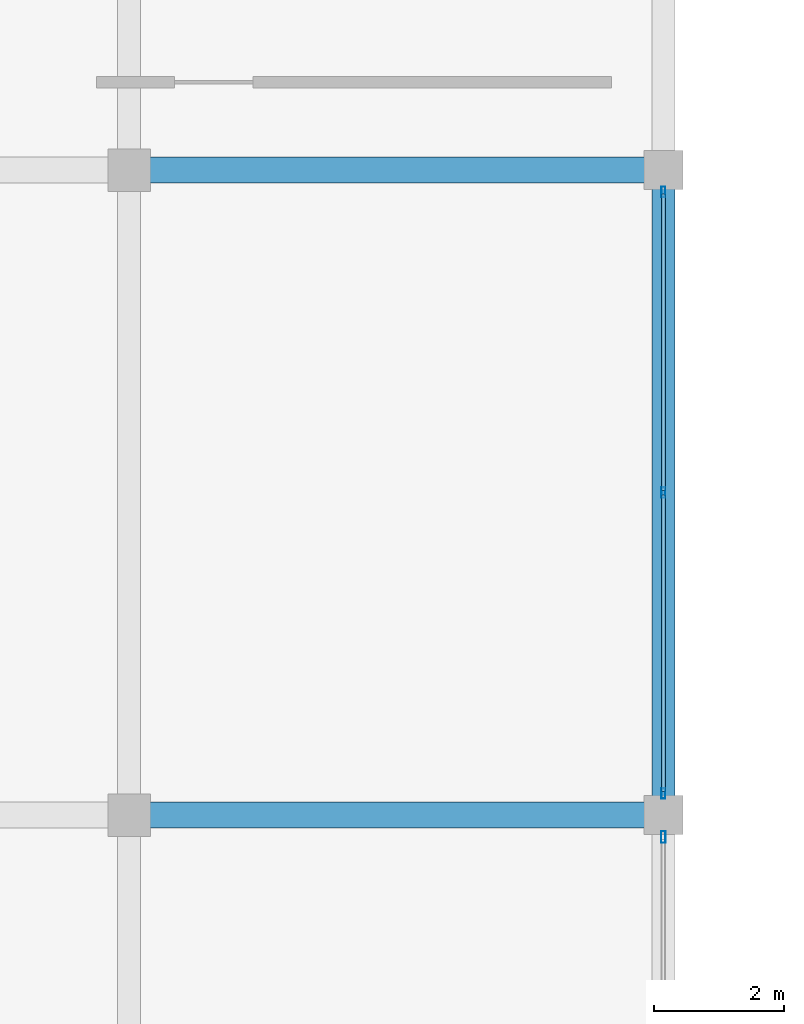
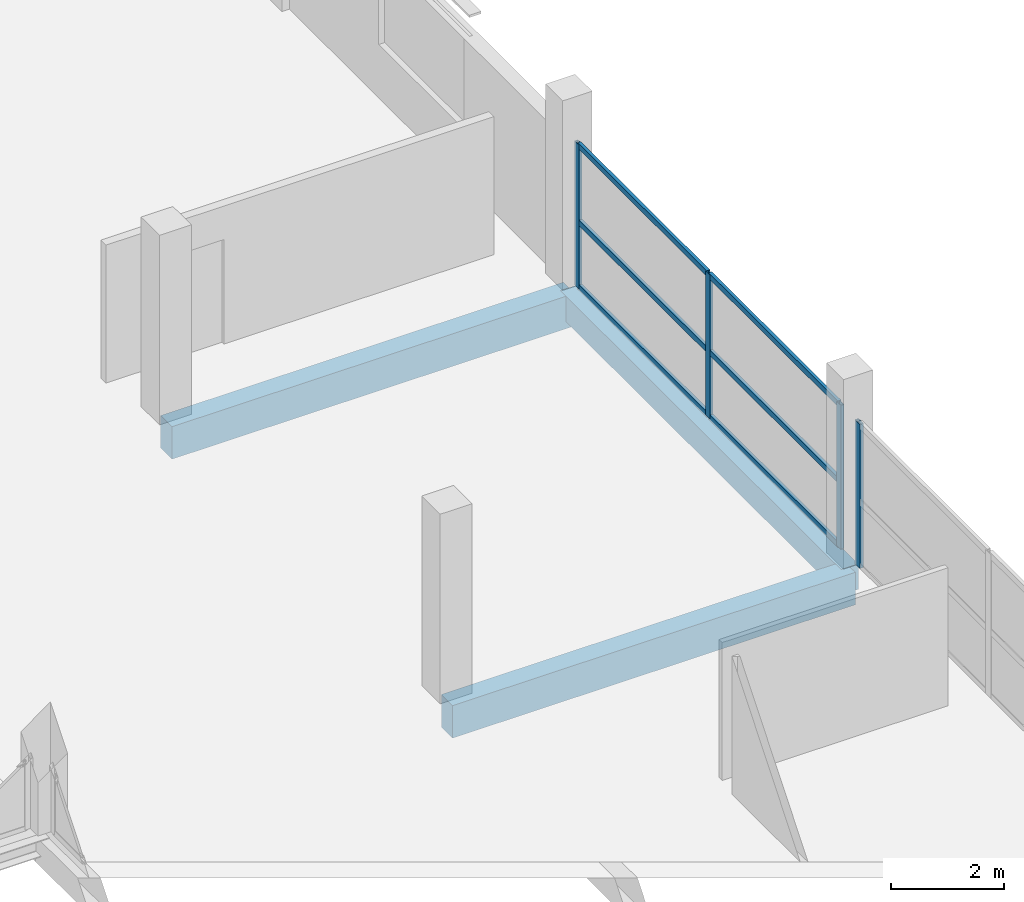
# One storey, part 42 of 66: 10 members, 3 beams, 2 elements without a shape of their own.
"""IFC4 building model written with IfcOpenShell, lengths in metres."""

import ifcopenshell
import ifcopenshell.guid

model = None  # the IFC model being written
_history = None  # IfcOwnerHistory: only IFC2X3 demands one
_inside = {}  # id of a spatial element -> (the spatial element, [elements in it])
_under = {}  # id of a project, library or spatial element -> (it, [spatial elements below it])
_declared = {}  # id of a project -> (the project, [libraries it declares])
_typed = {}  # id of a type object -> (the type object, [elements of that type])
_made_of = {}  # id of a material, layer set ... -> (it, [elements and type objects made of it])


def new_model(schema):
    """Start an empty IFC model of exactly this schema.

    Asked for "IFC4X3", IfcOpenShell would pick the latest addendum, in which some entities
    have other attributes; the version numbers below select the first issue.
    IFC2X3 requires an IfcOwnerHistory on every rooted entity: one is made here for all.
    """
    global model, _history
    if schema == "IFC4X3":
        model = ifcopenshell.file(schema_version=(4, 3, 0, 0))
    else:
        model = ifcopenshell.file(schema=schema)
    _inside.clear()
    _under.clear()
    _declared.clear()
    _typed.clear()
    _made_of.clear()
    _history = None
    if model.schema == "IFC2X3":
        org = make("IfcOrganization", Name="unknown")
        user = make(
            "IfcPersonAndOrganization",
            ThePerson=make("IfcPerson", FamilyName="unknown"),
            TheOrganization=org,
        )
        app = make(
            "IfcApplication",
            ApplicationDeveloper=org,
            Version="unknown",
            ApplicationFullName="unknown",
            ApplicationIdentifier="unknown",
        )
        _history = make(
            "IfcOwnerHistory",
            OwningUser=user,
            OwningApplication=app,
            ChangeAction="ADDED",
            CreationDate=0,
        )
    return model


def make(cls, **values):
    """One entity of the class cls with the attributes given. An attribute that is None is left unset."""
    return model.create_entity(
        cls, **{name: value for name, value in values.items() if value is not None}
    )


def rooted(cls, **values):
    """An entity with a GlobalId (a new one), such as an element, a storey or a relation."""
    return make(cls, GlobalId=ifcopenshell.guid.new(), OwnerHistory=_history, **values)


def si_unit(unit_type, name, prefix=None):
    """IfcSIUnit, for example si_unit("LENGTHUNIT", "METRE", prefix="MILLI")."""
    return make("IfcSIUnit", UnitType=unit_type, Prefix=prefix, Name=name)


def assignment(units):
    """IfcUnitAssignment: the units of a project."""
    return None if units is None else make("IfcUnitAssignment", Units=units)


def point(xyz):
    """IfcCartesianPoint."""
    return None if xyz is None else make("IfcCartesianPoint", Coordinates=xyz)


def direction(xyz):
    """IfcDirection."""
    return None if xyz is None else make("IfcDirection", DirectionRatios=xyz)


def frame(location, z_axis=None, x_axis=None):
    """IfcAxis2Placement3D, a coordinate frame: its origin and axes. An axis left out is left unset."""
    return make(
        "IfcAxis2Placement3D",
        Location=point(location),
        Axis=direction(z_axis),
        RefDirection=direction(x_axis),
    )


def frame_2d(location, x_axis=None):
    """IfcAxis2Placement2D, a coordinate frame in the plane: its origin and x axis."""
    return make(
        "IfcAxis2Placement2D", Location=point(location), RefDirection=direction(x_axis)
    )


def origin():
    """The frame at (0, 0, 0) with its axes left unset."""
    return frame((0.0, 0.0, 0.0))


def origin_2d():
    """The frame at (0, 0) in the plane with its x axis left unset."""
    return frame_2d((0.0, 0.0))


def place(relative_to, where):
    """IfcLocalPlacement: puts the frame where relative to a parent placement (None: the world)."""
    return make(
        "IfcLocalPlacement", PlacementRelTo=relative_to, RelativePlacement=where
    )


def context(
    kind, dimensions, precision=None, world=None, true_north=None, identifier=None
):
    """IfcGeometricRepresentationContext, for example the 3D "Model" context."""
    return make(
        "IfcGeometricRepresentationContext",
        ContextIdentifier=identifier,
        ContextType=kind,
        CoordinateSpaceDimension=dimensions,
        Precision=precision,
        WorldCoordinateSystem=world,
        TrueNorth=true_north,
    )


def subcontext(parent, identifier, kind, view, scale=None):
    """IfcGeometricRepresentationSubContext, for example "Body" below "Model"."""
    return make(
        "IfcGeometricRepresentationSubContext",
        ContextIdentifier=identifier,
        ContextType=kind,
        ParentContext=parent,
        TargetScale=scale,
        TargetView=view,
    )


def project(units=None, contexts=None):
    """IfcProject with its units and contexts."""
    return rooted(
        "IfcProject",
        Name="project",
        RepresentationContexts=contexts,
        UnitsInContext=assignment(units),
    )


def spatial(cls, under=None, at=None, **own):
    """A site, building, storey or space (cls), placed at a placement, below another one or the project."""
    s = rooted(cls, ObjectPlacement=at, **own)
    if under is not None:
        _under.setdefault(under.id(), (under, []))[1].append(s)
    return s


def profile(cls, at=None, kind="AREA", **sizes):
    """A parametric profile (cls). Its sizes go by their IFC names, for example OverallWidth=200.0."""
    return make(cls, ProfileType=kind, Position=at, **sizes)


def rectangle(**sizes):
    """IfcRectangleProfileDef."""
    return profile("IfcRectangleProfileDef", **sizes)


def hollow_rectangle(**sizes):
    """IfcRectangleHollowProfileDef."""
    return profile("IfcRectangleHollowProfileDef", **sizes)


def extrude(swept, where, along, depth):
    """IfcExtrudedAreaSolid: the profile swept, set in the frame where, extruded along a direction by depth."""
    return make(
        "IfcExtrudedAreaSolid",
        SweptArea=swept,
        Position=where,
        ExtrudedDirection=direction(along),
        Depth=depth,
    )


def shape(context_of_items, identifier, shape_type, items):
    """IfcShapeRepresentation: the items that make up one representation, for example the "Body"."""
    return make(
        "IfcShapeRepresentation",
        ContextOfItems=context_of_items,
        RepresentationIdentifier=identifier,
        RepresentationType=shape_type,
        Items=items,
    )


def material(Name=None, Category=None):
    """IfcMaterial."""
    return make("IfcMaterial", Name=Name, Category=Category)


def layer(
    of_material, thickness, ventilated=None, Name=None, Category=None, Priority=None
):
    """IfcMaterialLayer: one layer of a wall or slab, of a material (None: an air gap)."""
    return make(
        "IfcMaterialLayer",
        Material=of_material,
        LayerThickness=thickness,
        IsVentilated=ventilated,
        Name=Name,
        Category=Category,
        Priority=Priority,
    )


def layer_set(layers, Name=None):
    """IfcMaterialLayerSet."""
    return make("IfcMaterialLayerSet", MaterialLayers=layers, LayerSetName=Name)


def material_profile(
    of_material, cross_section, Name=None, Category=None, Priority=None
):
    """IfcMaterialProfile: a cross section and its material."""
    return make(
        "IfcMaterialProfile",
        Name=Name,
        Material=of_material,
        Profile=cross_section,
        Priority=Priority,
        Category=Category,
    )


def profile_set(profiles, Name=None, composite=None):
    """IfcMaterialProfileSet."""
    return make(
        "IfcMaterialProfileSet",
        Name=Name,
        MaterialProfiles=profiles,
        CompositeProfile=composite,
    )


def made_of(thing, what):
    """Note that an element or type object is made of a material, layer set ...; save() writes the relation."""
    if what is not None:
        _made_of.setdefault(what.id(), (what, []))[1].append(thing)
    return thing


def type_object(cls, material=None, **own):
    """A type object (cls), such as IfcWallType, which elements share."""
    return made_of(rooted(cls, **own), material)


def element(
    cls,
    number,
    at=None,
    inside=None,
    cuts=None,
    type_object=None,
    material=None,
    context=None,
    identifier="Body",
    shape_type=None,
    held_by="IfcProductDefinitionShape",
    body=None,
    shapes=None,
    **own,
):
    """One element of the class cls, such as IfcWall. Its Tag is "e" and its number.

    at: its placement. inside: the storey or other place that contains it. cuts: it is an
    opening in that element (IfcRelVoidsElement). A single representation is given by context,
    identifier, shape_type and body (its items); several are given by shapes. held_by: the class
    of the entity that holds the representations. save() writes the other relations.
    """
    e = rooted(cls, Tag="e%d" % number, ObjectPlacement=at, **own)
    if body is not None:
        shapes = [shape(context, identifier, shape_type, body)]
    if shapes is not None:
        e.Representation = make(held_by, Representations=shapes)
    if inside is not None:
        _inside.setdefault(inside.id(), (inside, []))[1].append(e)
    if cuts is not None:
        rooted(
            "IfcRelVoidsElement", RelatingBuildingElement=cuts, RelatedOpeningElement=e
        )
    if type_object is not None:
        _typed.setdefault(type_object.id(), (type_object, []))[1].append(e)
    return made_of(e, material)


def aggregate(whole, parts):
    """IfcRelAggregates: a whole, such as a stair, and the parts it consists of."""
    return rooted("IfcRelAggregates", RelatingObject=whole, RelatedObjects=parts)


def save(model, path):
    """Write the relations noted so far, then the file.

    IfcRelAggregates (storeys below a building ...), IfcRelContainedInSpatialStructure (elements
    in a storey), IfcRelDefinesByType, IfcRelAssociatesMaterial and IfcRelDeclares: one each for
    every whole, place, type object, material and project.
    """
    for whole, parts in _under.values():
        aggregate(whole, parts)
    for where, things in _inside.values():
        rooted(
            "IfcRelContainedInSpatialStructure",
            RelatedElements=things,
            RelatingStructure=where,
        )
    for kind, things in _typed.values():
        rooted("IfcRelDefinesByType", RelatedObjects=things, RelatingType=kind)
    for what, things in _made_of.values():
        rooted("IfcRelAssociatesMaterial", RelatedObjects=things, RelatingMaterial=what)
    for by, libraries in _declared.values():
        rooted("IfcRelDeclares", RelatingContext=by, RelatedDefinitions=libraries)
    model.write(path)


model = new_model("IFC4")

# Units and contexts
model_context = context("Model", 3, precision=1e-05, world=origin(), true_north=direction((0.0, 1.0)))
body_context = subcontext(model_context, "Body", "Model", "MODEL_VIEW")
ifc_project = project(units=[si_unit("LENGTHUNIT", "METRE"), si_unit("AREAUNIT", "SQUARE_METRE"), si_unit("VOLUMEUNIT", "CUBIC_METRE"), si_unit("PLANEANGLEUNIT", "RADIAN"), si_unit("MASSUNIT", "GRAM", prefix="KILO")], contexts=[model_context])

# Site, building, storey
site_placement = place(None, origin())
site = spatial("IfcSite", under=ifc_project, at=site_placement, CompositionType="ELEMENT")
building_placement = place(site_placement, origin())
building = spatial("IfcBuilding", under=site, at=building_placement, Name="Sillaruma Civic Art Gallery", CompositionType="ELEMENT")
storey_placement = place(building_placement, frame((0.0, 0.0, 62.219970703125)))
storey = spatial("IfcBuildingStorey", under=building, at=storey_placement, Name="L12", CompositionType="ELEMENT", Elevation=62.219970703125)

# Beams
ifc_material_1 = material(Name="Concrete H35 (35 MPa)", Category="concrete")
ifc_material_profile_1 = material_profile(ifc_material_1, rectangle(XDim=0.39990234375, YDim=0.699951171875, at=origin_2d()), Name="RCB400x700")
ifc_profile_set_1 = profile_set([ifc_material_profile_1], Name="Concrete H35 (35 MPa)")
beam_type_1 = type_object("IfcBeamType", Name="BM-BEAM-RCB400x700", PredefinedType="BEAM", material=ifc_profile_set_1)
for number, where, z_axis, x_axis, name in (
    (1, (106.199951171875, 69.300048828125, -0.580078125), (1.0, 0.0, 0.0), (0.0, 1.0, 0.0), "Beam BM-04 (L11:8:M-N)"),
    (2, (106.199951171875, 79.199951171875, -0.580078125), (1.0, 0.0, 0.0), (0.0, 1.0, 0.0), "Beam BM-04 (L11:9:M-N)"),
):
    element("IfcBeam", number, at=place(storey_placement, frame(where, z_axis=z_axis, x_axis=x_axis)), inside=storey, type_object=beam_type_1, Name=name, PredefinedType="BEAM", context=body_context, shape_type="SweptSolid", body=[
        extrude(rectangle(XDim=0.39990234375, YDim=0.699951171875, at=origin_2d()), origin(), (0.0, 0.0, 1.0), 8.199951171875),
    ])
ifc_material_profile_2 = material_profile(ifc_material_1, rectangle(XDim=0.35009765625, YDim=0.550048828125, at=origin_2d()), Name="RCB350x550")
ifc_profile_set_2 = profile_set([ifc_material_profile_2], Name="Concrete H35 (35 MPa)")
beam_type_2 = type_object("IfcBeamType", Name="BM-SPANDREL-RCB350x550", PredefinedType="SPANDREL", material=ifc_profile_set_2)
beam_placement = place(storey_placement, frame((114.39990234375, 69.300048828125, -0.5048828125), z_axis=(0.0, 1.0, 0.0), x_axis=(-1.0, 0.0, 0.0)))
element("IfcBeam", 3, at=beam_placement, inside=storey, type_object=beam_type_2, Name="Beam BS-04 (L11:N:8-9)", PredefinedType="SPANDREL", context=body_context, shape_type="SweptSolid", body=[
    extrude(rectangle(XDim=0.35009765625, YDim=0.550048828125, at=origin_2d()), origin(), (0.0, 0.0, 1.0), 9.89990234375),
])

# Curtain wall, members
ifc_material_2 = material(Name="Thermally Broken Extruded Aluminium 6063-T6", Category="aluminium")
ifc_layer_1 = layer(ifc_material_2, 0.159912109375, Name="Thermally Broken Extruded Aluminium 6063-T6")
ifc_layer_set_1 = layer_set([ifc_layer_1], Name="Thermally Broken Extruded Aluminium 6063-T6")
curtain_wall_type_1 = type_object("IfcCurtainWallType", Name="CW-UNI-102", PredefinedType="NOTDEFINED", material=ifc_layer_set_1)
curtain_wall_1_placement = place(storey_placement, origin())
curtain_wall_1 = element("IfcCurtainWall", 4, at=curtain_wall_1_placement, inside=storey, type_object=curtain_wall_type_1, Name="Unitised Curtain Wall CW-102 (CW-L12-EBE-6)", PredefinedType="NOTDEFINED")
ifc_material_profile_3 = material_profile(ifc_material_2, hollow_rectangle(XDim=0.06494140625, YDim=0.159912109375, WallThickness=0.00390625, at=origin_2d()), Name="CWM65x160")
ifc_profile_set_3 = profile_set([ifc_material_profile_3], Name="Thermally Broken Extruded Aluminium 6063-T6")
member_type_1 = type_object("IfcMemberType", Name="MEM-MUL-CWM65x160", PredefinedType="MULLION", material=ifc_profile_set_3)
member_1_placement = place(storey_placement, frame((114.39990234375, 69.632568359375, 0.0), z_axis=(0.0, 0.0, 1.0), x_axis=(-1.0, 0.0, 0.0)))
member_1 = element("IfcMember", 5, at=member_1_placement, type_object=member_type_1, Name="CW-102 mullion 1", PredefinedType="MULLION", context=body_context, shape_type="SweptSolid", body=[
    extrude(hollow_rectangle(XDim=0.06494140625, YDim=0.159912109375, WallThickness=0.00390625, at=origin_2d()), origin(), (0.0, 0.0, 1.0), 3.10009765625),
])
member_2_placement = place(storey_placement, frame((114.39990234375, 74.25, 0.0), z_axis=(0.0, 0.0, 1.0), x_axis=(-1.0, 0.0, 0.0)))
member_2 = element("IfcMember", 6, at=member_2_placement, type_object=member_type_1, Name="CW-102 mullion 2", PredefinedType="MULLION", context=body_context, shape_type="SweptSolid", body=[
    extrude(hollow_rectangle(XDim=0.06494140625, YDim=0.159912109375, WallThickness=0.00390625, at=origin_2d()), origin(), (0.0, 0.0, 1.0), 3.10009765625),
])
member_3_placement = place(storey_placement, frame((114.39990234375, 78.867431640625, 0.0), z_axis=(0.0, 0.0, 1.0), x_axis=(-1.0, 0.0, 0.0)))
member_3 = element("IfcMember", 7, at=member_3_placement, type_object=member_type_1, Name="CW-102 mullion 3", PredefinedType="MULLION", context=body_context, shape_type="SweptSolid", body=[
    extrude(hollow_rectangle(XDim=0.06494140625, YDim=0.159912109375, WallThickness=0.00390625, at=origin_2d()), origin(), (0.0, 0.0, 1.0), 3.10009765625),
])

# Curtain wall, member
ifc_layer_2 = layer(ifc_material_2, 0.179931640625, Name="Thermally Broken Extruded Aluminium 6063-T6")
ifc_layer_set_2 = layer_set([ifc_layer_2], Name="Thermally Broken Extruded Aluminium 6063-T6")
curtain_wall_type_2 = type_object("IfcCurtainWallType", Name="CW-UNI-101", PredefinedType="NOTDEFINED", material=ifc_layer_set_2)
curtain_wall_2_placement = place(storey_placement, origin())
curtain_wall_2 = element("IfcCurtainWall", 8, at=curtain_wall_2_placement, inside=storey, type_object=curtain_wall_type_2, Name="Unitised Curtain Wall CW-101 (CW-L12-EBE-5)", PredefinedType="NOTDEFINED")
ifc_material_profile_4 = material_profile(ifc_material_2, hollow_rectangle(XDim=0.070068359375, YDim=0.179931640625, WallThickness=0.00390625, at=origin_2d()), Name="CWM70x180")
ifc_profile_set_4 = profile_set([ifc_material_profile_4], Name="Thermally Broken Extruded Aluminium 6063-T6")
member_type_2 = type_object("IfcMemberType", Name="MEM-MUL-CWM70x180", PredefinedType="MULLION", material=ifc_profile_set_4)
member_4_placement = place(storey_placement, frame((114.39990234375, 68.965087890625, 0.0), z_axis=(0.0, 0.0, 1.0), x_axis=(-1.0, 0.0, 0.0)))
member_4 = element("IfcMember", 9, at=member_4_placement, type_object=member_type_2, Name="CW-101 mullion 3", PredefinedType="MULLION", context=body_context, shape_type="SweptSolid", body=[
    extrude(hollow_rectangle(XDim=0.070068359375, YDim=0.179931640625, WallThickness=0.00390625, at=origin_2d()), origin(), (0.0, 0.0, 1.0), 3.10009765625),
])
aggregate(curtain_wall_2, [member_4])

# Member
ifc_material_profile_5 = material_profile(ifc_material_2, hollow_rectangle(XDim=0.06494140625, YDim=0.1201171875, WallThickness=0.00341796875, at=origin_2d()), Name="CWT65x120")
ifc_profile_set_5 = profile_set([ifc_material_profile_5], Name="Thermally Broken Extruded Aluminium 6063-T6")
member_type_3 = type_object("IfcMemberType", Name="MEM-TRN-CWT65x120", PredefinedType="USERDEFINED", material=ifc_profile_set_5)
member_5_placement = place(storey_placement, frame((114.39990234375, 69.6650390625, 0.032470703125), z_axis=(0.0, 1.0, 0.0), x_axis=(-1.0, 0.0, 0.0)))
member_5 = element("IfcMember", 10, at=member_5_placement, type_object=member_type_3, Name="CW-102 transom 1.1", ObjectType="TRANSOM", PredefinedType="USERDEFINED", context=body_context, shape_type="SweptSolid", body=[
    extrude(hollow_rectangle(XDim=0.06494140625, YDim=0.1201171875, WallThickness=0.00341796875, at=origin_2d()), origin(), (0.0, 0.0, 1.0), 4.552490234375),
])

member_6_placement = place(storey_placement, frame((114.39990234375, 69.6650390625, 1.426025390625), z_axis=(0.0, 1.0, 0.0), x_axis=(-1.0, 0.0, 0.0)))
member_6 = element("IfcMember", 11, at=member_6_placement, type_object=member_type_3, Name="CW-102 transom 1.2", ObjectType="TRANSOM", PredefinedType="USERDEFINED", context=body_context, shape_type="SweptSolid", body=[
    extrude(hollow_rectangle(XDim=0.06494140625, YDim=0.1201171875, WallThickness=0.00341796875, at=origin_2d()), origin(), (0.0, 0.0, 1.0), 4.552490234375),
])

member_7_placement = place(storey_placement, frame((114.39990234375, 69.6650390625, 3.067626953125), z_axis=(0.0, 1.0, 0.0), x_axis=(-1.0, 0.0, 0.0)))
member_7 = element("IfcMember", 12, at=member_7_placement, type_object=member_type_3, Name="CW-102 transom 1.3", ObjectType="TRANSOM", PredefinedType="USERDEFINED", context=body_context, shape_type="SweptSolid", body=[
    extrude(hollow_rectangle(XDim=0.06494140625, YDim=0.1201171875, WallThickness=0.00341796875, at=origin_2d()), origin(), (0.0, 0.0, 1.0), 4.552490234375),
])

member_8_placement = place(storey_placement, frame((114.39990234375, 74.282470703125, 0.032470703125), z_axis=(0.0, 1.0, 0.0), x_axis=(-1.0, 0.0, 0.0)))
member_8 = element("IfcMember", 13, at=member_8_placement, type_object=member_type_3, Name="CW-102 transom 2.1", ObjectType="TRANSOM", PredefinedType="USERDEFINED", context=body_context, shape_type="SweptSolid", body=[
    extrude(hollow_rectangle(XDim=0.06494140625, YDim=0.1201171875, WallThickness=0.00341796875, at=origin_2d()), origin(), (0.0, 0.0, 1.0), 4.552490234375),
])

member_9_placement = place(storey_placement, frame((114.39990234375, 74.282470703125, 1.426025390625), z_axis=(0.0, 1.0, 0.0), x_axis=(-1.0, 0.0, 0.0)))
member_9 = element("IfcMember", 14, at=member_9_placement, type_object=member_type_3, Name="CW-102 transom 2.2", ObjectType="TRANSOM", PredefinedType="USERDEFINED", context=body_context, shape_type="SweptSolid", body=[
    extrude(hollow_rectangle(XDim=0.06494140625, YDim=0.1201171875, WallThickness=0.00341796875, at=origin_2d()), origin(), (0.0, 0.0, 1.0), 4.552490234375),
])

member_10_placement = place(storey_placement, frame((114.39990234375, 74.282470703125, 3.067626953125), z_axis=(0.0, 1.0, 0.0), x_axis=(-1.0, 0.0, 0.0)))
member_10 = element("IfcMember", 15, at=member_10_placement, type_object=member_type_3, Name="CW-102 transom 2.3", ObjectType="TRANSOM", PredefinedType="USERDEFINED", context=body_context, shape_type="SweptSolid", body=[
    extrude(hollow_rectangle(XDim=0.06494140625, YDim=0.1201171875, WallThickness=0.00341796875, at=origin_2d()), origin(), (0.0, 0.0, 1.0), 4.552490234375),
])

aggregate(curtain_wall_1, [member_1, member_2, member_3, member_5, member_6, member_7, member_8, member_9, member_10])

save(model, "model.ifc")
